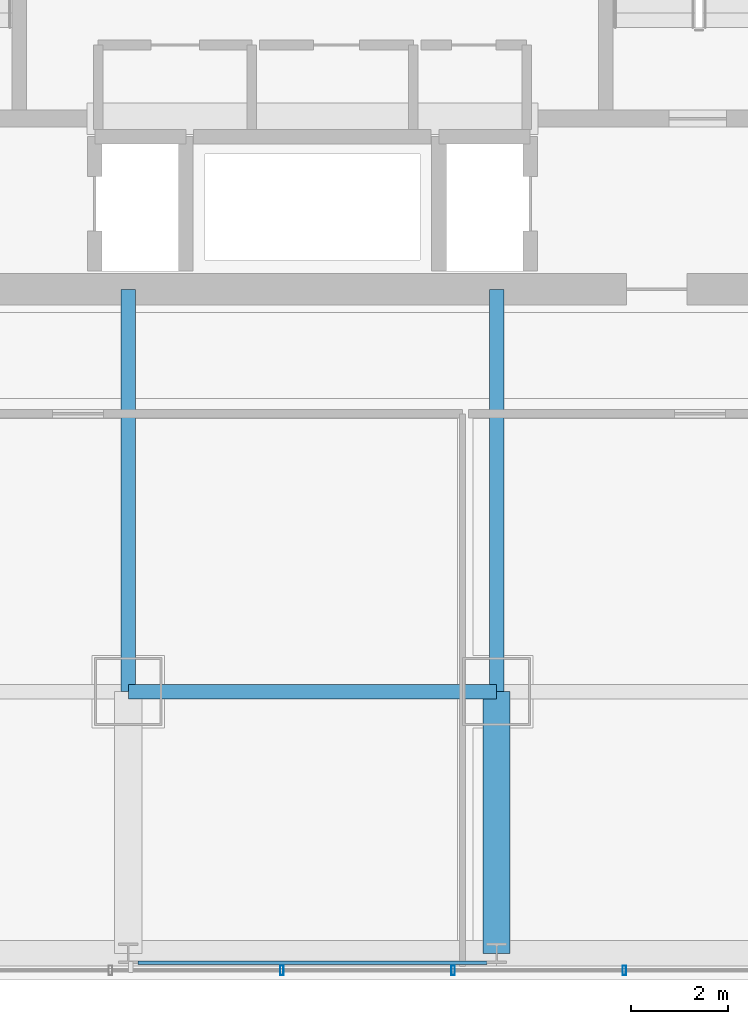
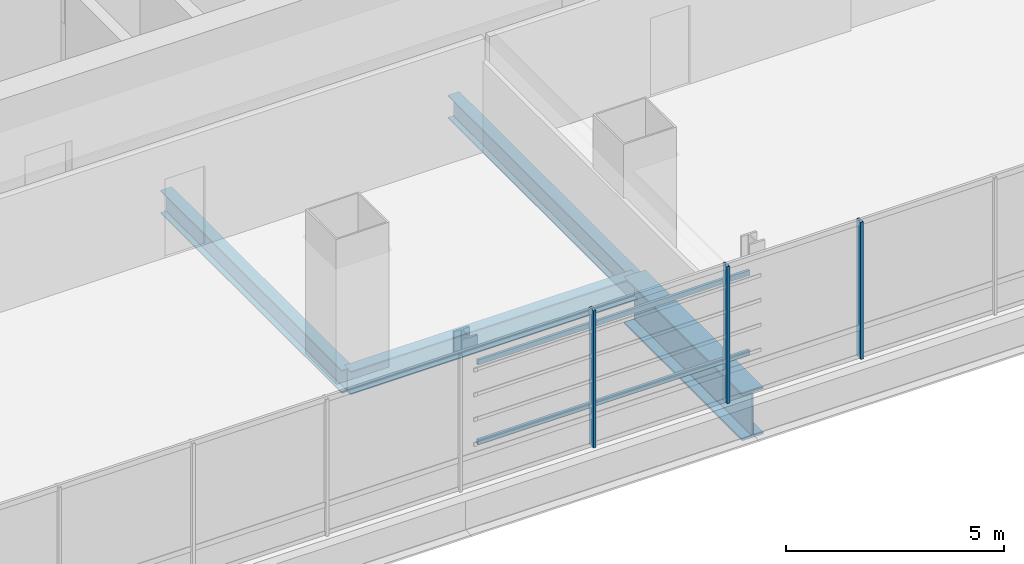
# One storey, part 8 of 36: 5 members, 4 beams, 1 element without a shape of its own.
"""IFC4 building model written with IfcOpenShell, lengths in metres."""

from ifc_helpers import new_model, si_unit, direction, frame, origin, origin_2d, place, context, subcontext, project, spatial, hollow_rectangle, i_section, extrude, material, material_profile, profile_set, type_object, element, aggregate, save


model = new_model("IFC4")

# Units and contexts
model_context = context("Model", 3, precision=1e-05, world=origin(), true_north=direction((0.0, 1.0)))
body_context = subcontext(model_context, "Body", "Model", "MODEL_VIEW")
ifc_project = project(units=[si_unit("LENGTHUNIT", "METRE"), si_unit("AREAUNIT", "SQUARE_METRE"), si_unit("VOLUMEUNIT", "CUBIC_METRE"), si_unit("PLANEANGLEUNIT", "RADIAN"), si_unit("MASSUNIT", "GRAM", prefix="KILO")], contexts=[model_context])

# Site, building, storey
site_placement = place(None, origin())
site = spatial("IfcSite", under=ifc_project, at=site_placement, CompositionType="ELEMENT")
building_placement = place(site_placement, origin())
building = spatial("IfcBuilding", under=site, at=building_placement, Name="Punatoya Terracotta Tower", CompositionType="ELEMENT")
storey_placement = place(building_placement, frame((0.0, 0.0, 176.25)))
storey = spatial("IfcBuildingStorey", under=building, at=storey_placement, Name="L41", CompositionType="ELEMENT", Elevation=176.25)

# Beams
ifc_material_1 = material(Name="Steel S355", Category="steel")
ifc_material_profile_1 = material_profile(ifc_material_1, i_section(OverallWidth=0.300048828125, OverallDepth=0.64990234375, WebThickness=0.01611328125, FlangeThickness=0.031005859375, FilletRadius=0.01806640625, at=origin_2d()))
ifc_profile_set_1 = profile_set([ifc_material_profile_1], Name="Steel S355")
beam_type_1 = type_object("IfcBeamType", Name="BM-PRI-650", PredefinedType="BEAM", material=ifc_profile_set_1)
beam_1_placement = place(storey_placement, frame((-3.800048828125, -17.5, -0.544921875), z_axis=(1.0, 0.0, 0.0), x_axis=(0.0, 1.0, 0.0)))
element("IfcBeam", 1, at=beam_1_placement, inside=storey, type_object=beam_type_1, Name="BM-L41-RG-S2", PredefinedType="BEAM", context=body_context, shape_type="SweptSolid", body=[
    extrude(i_section(OverallWidth=0.300048828125, OverallDepth=0.64990234375, WebThickness=0.01611328125, FlangeThickness=0.031005859375, FilletRadius=0.01806640625, at=origin_2d()), origin(), (0.0, 0.0, 1.0), 7.60009765625),
])
for number, where, z_axis, x_axis, name in (
    (2, (-3.800048828125, -17.5, -0.544921875), (0.0, 1.0, 0.0), (-1.0, 0.0, 0.0), "BM-L41-PR-S2"),
    (3, (3.800048828125, -17.5, -0.544921875), (0.0, 1.0, 0.0), (-1.0, 0.0, 0.0), "BM-L41-PR-S3"),
):
    element("IfcBeam", number, at=place(storey_placement, frame(where, z_axis=z_axis, x_axis=x_axis)), inside=storey, type_object=beam_type_1, Name=name, PredefinedType="BEAM", context=body_context, shape_type="SweptSolid", body=[
        extrude(i_section(OverallWidth=0.300048828125, OverallDepth=0.64990234375, WebThickness=0.01611328125, FlangeThickness=0.031005859375, FilletRadius=0.01806640625, at=origin_2d()), origin(), (0.0, 0.0, 1.0), 8.300048828125),
    ])
ifc_material_2 = material(Name="Steel S460", Category="steel")
ifc_material_profile_2 = material_profile(ifc_material_2, i_section(OverallWidth=0.56005859375, OverallDepth=1.320068359375, WebThickness=0.035888671875, FlangeThickness=0.054931640625, FilletRadius=0.01806640625, at=origin_2d()))
ifc_profile_set_2 = profile_set([ifc_material_profile_2], Name="Steel S460")
beam_type_2 = type_object("IfcBeamType", Name="BM-TG-BLK", PredefinedType="BEAM", material=ifc_profile_set_2)
beam_2_placement = place(storey_placement, frame((3.800048828125, -22.89990234375, -0.8798828125), z_axis=(0.0, 1.0, 0.0), x_axis=(-1.0, 0.0, 0.0)))
element("IfcBeam", 4, at=beam_2_placement, inside=storey, type_object=beam_type_2, Name="BM-L41-CANT-S3", PredefinedType="BEAM", context=body_context, shape_type="SweptSolid", body=[
    extrude(i_section(OverallWidth=0.56005859375, OverallDepth=1.320068359375, WebThickness=0.035888671875, FlangeThickness=0.054931640625, FilletRadius=0.01806640625, at=origin_2d()), origin(), (0.0, 0.0, 1.0), 5.39990234375),
])

# Curtain wall, members
ifc_material_3 = material(Name="Aluminium 6063-T6 + Double Low-E Glass", Category="aluminium")
curtain_wall_type = type_object("IfcCurtainWallType", Name="CW-M2", PredefinedType="NOTDEFINED", material=ifc_material_3)
curtain_wall_placement = place(storey_placement, origin())
curtain_wall = element("IfcCurtainWall", 5, at=curtain_wall_placement, inside=storey, type_object=curtain_wall_type, Name="L41 Curtain Wall CW-L41-S01-1", PredefinedType="NOTDEFINED")
ifc_material_4 = material(Name="Aluminium 6063-T6", Category="aluminium")
ifc_material_profile_3 = material_profile(ifc_material_4, hollow_rectangle(XDim=0.072021484375, YDim=0.195068359375, WallThickness=0.00439453125, at=origin_2d()))
ifc_profile_set_3 = profile_set([ifc_material_profile_3], Name="Aluminium 6063-T6")
member_type_1 = type_object("IfcMemberType", Name="CW-MUL-M2", PredefinedType="MULLION", material=ifc_profile_set_3)
member_1_placement = place(storey_placement, frame((-0.633056640625, -23.25, 0.0), z_axis=(0.0, 0.0, 1.0), x_axis=(1.0, 0.0, 0.0)))
member_1 = element("IfcMember", 6, at=member_1_placement, type_object=member_type_1, Name="CW-L41-S01-1 Mullion 06", PredefinedType="MULLION", context=body_context, shape_type="SweptSolid", body=[
    extrude(hollow_rectangle(XDim=0.072021484375, YDim=0.195068359375, WallThickness=0.00439453125, at=origin_2d()), origin(), (0.0, 0.0, 1.0), 3.830078125),
])
member_2_placement = place(storey_placement, frame((2.90087890625, -23.25, 0.0), z_axis=(0.0, 0.0, 1.0), x_axis=(1.0, 0.0, 0.0)))
member_2 = element("IfcMember", 7, at=member_2_placement, type_object=member_type_1, Name="CW-L41-S01-1 Mullion 07", PredefinedType="MULLION", context=body_context, shape_type="SweptSolid", body=[
    extrude(hollow_rectangle(XDim=0.072021484375, YDim=0.195068359375, WallThickness=0.00439453125, at=origin_2d()), origin(), (0.0, 0.0, 1.0), 3.830078125),
])
member_3_placement = place(storey_placement, frame((6.43505859375, -23.25, 0.0), z_axis=(0.0, 0.0, 1.0), x_axis=(1.0, 0.0, 0.0)))
member_3 = element("IfcMember", 8, at=member_3_placement, type_object=member_type_1, Name="CW-L41-S01-1 Mullion 08", PredefinedType="MULLION", context=body_context, shape_type="SweptSolid", body=[
    extrude(hollow_rectangle(XDim=0.072021484375, YDim=0.195068359375, WallThickness=0.00439453125, at=origin_2d()), origin(), (0.0, 0.0, 1.0), 3.830078125),
])
aggregate(curtain_wall, [member_1, member_2, member_3])

# Members
ifc_material_profile_4 = material_profile(ifc_material_1, hollow_rectangle(XDim=0.070068359375, YDim=0.139892578125, WallThickness=0.006103515625, at=origin_2d()))
ifc_profile_set_4 = profile_set([ifc_material_profile_4], Name="Steel S355")
member_type_2 = type_object("IfcMemberType", Name="MEM-BAG-RAIL", PredefinedType="USERDEFINED", material=ifc_profile_set_4)
for number, where, z_axis, x_axis, name in (
    (9, (-3.595947265625, -23.094482421875, 1.050048828125), (1.0, 0.0, 0.0), (0.0, 1.0, 0.0), "L41 Terracotta Baguette Carrier Rail BAG-L41-S-R1"),
    (10, (-3.595947265625, -23.094482421875, 3.280029296875), (1.0, 0.0, 0.0), (0.0, 1.0, 0.0), "L41 Terracotta Baguette Carrier Rail BAG-L41-S-R2"),
):
    element("IfcMember", number, at=place(storey_placement, frame(where, z_axis=z_axis, x_axis=x_axis)), inside=storey, type_object=member_type_2, Name=name, ObjectType="BAGUETTE", PredefinedType="USERDEFINED", context=body_context, shape_type="SweptSolid", body=[
        extrude(hollow_rectangle(XDim=0.070068359375, YDim=0.139892578125, WallThickness=0.006103515625, at=origin_2d()), origin(), (0.0, 0.0, 1.0), 7.19189453125),
    ])

save(model, "model.ifc")
